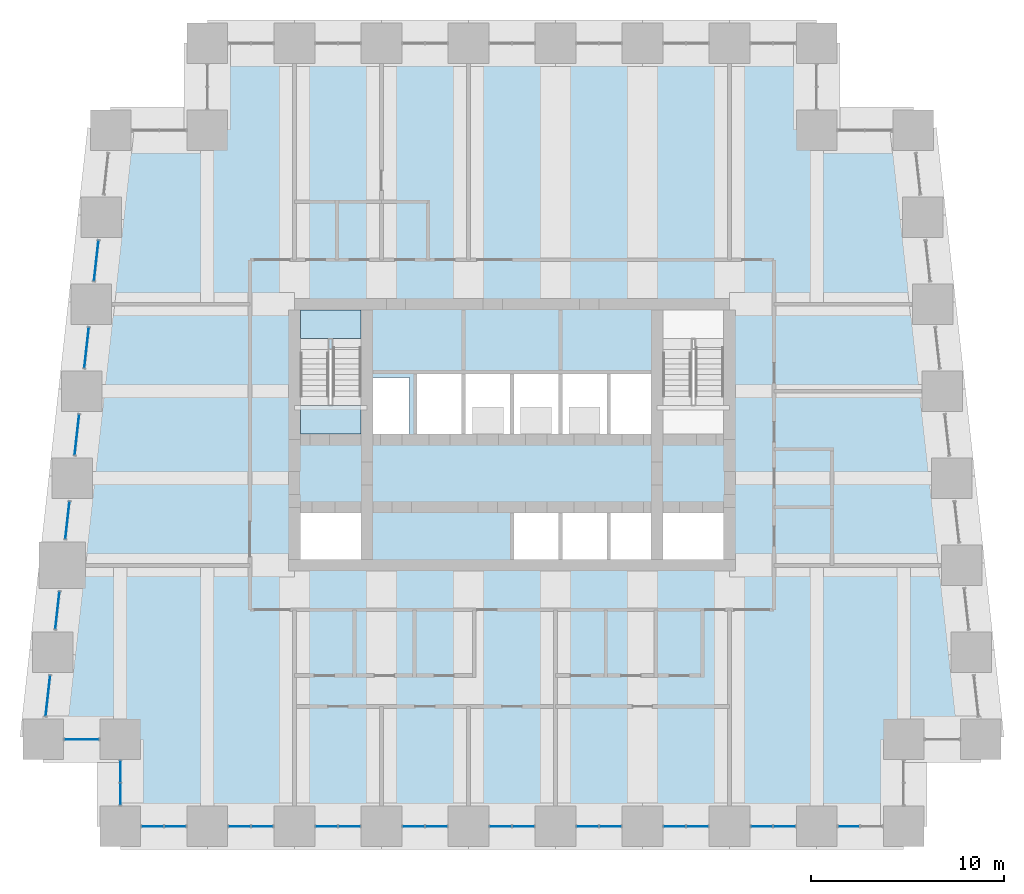
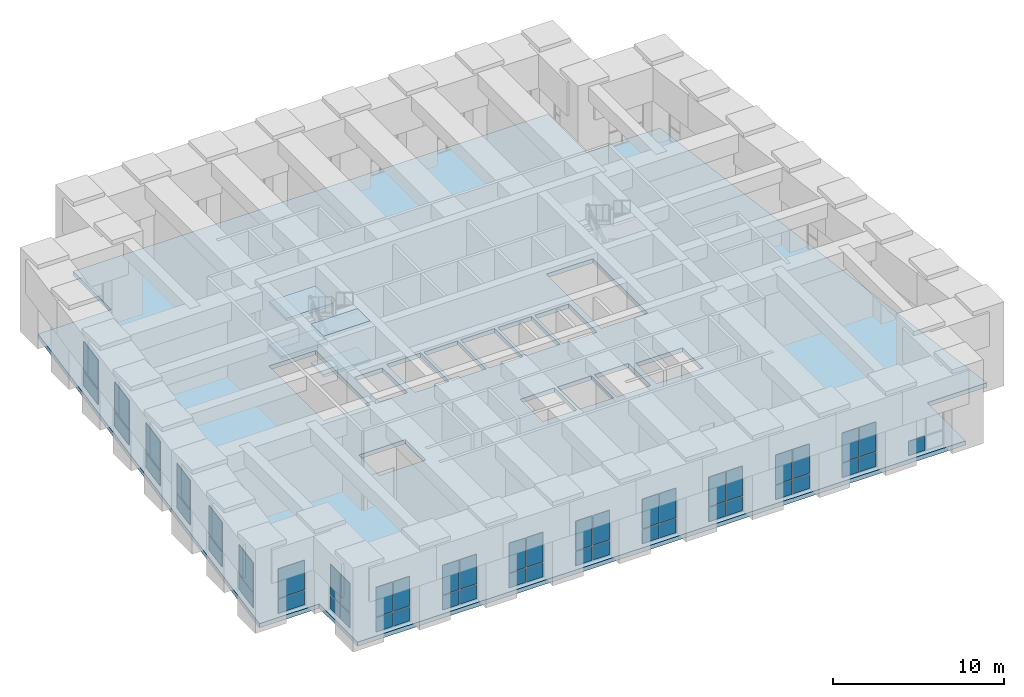
# One storey, part 9 of 17: 51 plates, 5 slabs, 18 elements without a shape of their own.
"""IFC4 building model written with IfcOpenShell, lengths in metres."""

from ifc_helpers import new_model, si_unit, direction, frame, origin, origin_2d, place, context, subcontext, project, spatial, polyline, rectangle, outline, extrude, material, layer, layer_set, type_object, element, aggregate, save


model = new_model("IFC4")

# Units and contexts
model_context = context("Model", 3, precision=1e-05, world=origin(), true_north=direction((0.0, 1.0)))
body_context = subcontext(model_context, "Body", "Model", "MODEL_VIEW")
ifc_project = project(units=[si_unit("LENGTHUNIT", "METRE"), si_unit("AREAUNIT", "SQUARE_METRE"), si_unit("VOLUMEUNIT", "CUBIC_METRE"), si_unit("PLANEANGLEUNIT", "RADIAN"), si_unit("MASSUNIT", "GRAM", prefix="KILO")], contexts=[model_context])

# Site, building, storey
site_placement = place(None, origin())
site = spatial("IfcSite", under=ifc_project, at=site_placement, CompositionType="ELEMENT")
building_placement = place(site_placement, origin())
building = spatial("IfcBuilding", under=site, at=building_placement, Name="Kilele Tower Hotel", CompositionType="ELEMENT")
storey_placement = place(building_placement, frame((0.0, 0.0, 145.89990234375)))
storey = spatial("IfcBuildingStorey", under=building, at=storey_placement, Name="L38", CompositionType="ELEMENT", Elevation=145.89990234375)

# Slab
ifc_material_1 = material(Name="Concrete C60/75", Category="concrete")
ifc_layer_1 = layer(ifc_material_1, 0.300048828125)
ifc_layer_set_1 = layer_set([ifc_layer_1], Name="Concrete C60/75")
slab_type_1 = type_object("IfcSlabType", Name="Floor slab 300", PredefinedType="FLOOR", material=ifc_layer_set_1)
slab_1_placement = place(storey_placement, frame((0.0, 0.0, -0.2998046875)))
element("IfcSlab", 1, at=slab_1_placement, inside=storey, type_object=slab_type_1, Name="Floor slab L38", PredefinedType="FLOOR", context=body_context, shape_type="SweptSolid", body=[
    extrude(outline(polyline([(8.699951171875, 36.300048828125), (8.699951171875, 40.800048828125), (40.800048828125, 40.800048828125), (40.800048828125, 36.300048828125), (45.7685546875, 36.300048828125), (49.335205078125, 4.199951171875), (45.300048828125, 4.199951171875), (45.300048828125, -0.300048828125), (4.199951171875, -0.300048828125), (4.199951171875, 4.199951171875), (0.164794921875, 4.199951171875), (3.7314453125, 36.300048828125), (8.699951171875, 36.300048828125)]), holes=[polyline([(16.949951171875, 16.199951171875), (13.800048828125, 16.199951171875), (13.800048828125, 13.800048828125), (16.949951171875, 13.800048828125), (16.949951171875, 16.199951171875)]), polyline([(27.14990234375, 13.800048828125), (27.14990234375, 16.39990234375), (24.85009765625, 16.39990234375), (24.85009765625, 13.800048828125), (27.14990234375, 13.800048828125)]), polyline([(19.449951171875, 20.300048828125), (19.449951171875, 23.199951171875), (17.550048828125, 23.199951171875), (17.550048828125, 20.300048828125), (19.449951171875, 20.300048828125)]), polyline([(22.14990234375, 23.39990234375), (19.85009765625, 23.39990234375), (19.85009765625, 20.10009765625), (22.14990234375, 20.10009765625), (22.14990234375, 23.39990234375)]), polyline([(24.64990234375, 20.10009765625), (24.64990234375, 23.39990234375), (22.35009765625, 23.39990234375), (22.35009765625, 20.10009765625), (24.64990234375, 20.10009765625)]), polyline([(27.14990234375, 20.10009765625), (27.14990234375, 23.39990234375), (24.85009765625, 23.39990234375), (24.85009765625, 20.10009765625), (27.14990234375, 20.10009765625)]), polyline([(16.949951171875, 26.699951171875), (13.800048828125, 26.699951171875), (13.800048828125, 20.300048828125), (16.949951171875, 20.300048828125), (16.949951171875, 26.699951171875)]), polyline([(35.699951171875, 13.800048828125), (35.699951171875, 16.199951171875), (32.550048828125, 16.199951171875), (32.550048828125, 13.800048828125), (35.699951171875, 13.800048828125)]), polyline([(29.64990234375, 13.800048828125), (29.64990234375, 16.39990234375), (27.35009765625, 16.39990234375), (27.35009765625, 13.800048828125), (29.64990234375, 13.800048828125)]), polyline([(32.14990234375, 13.800048828125), (32.14990234375, 16.39990234375), (29.85009765625, 16.39990234375), (29.85009765625, 13.800048828125), (32.14990234375, 13.800048828125)]), polyline([(29.64990234375, 20.10009765625), (29.64990234375, 23.39990234375), (27.35009765625, 23.39990234375), (27.35009765625, 20.10009765625), (29.64990234375, 20.10009765625)]), polyline([(32.14990234375, 20.10009765625), (32.14990234375, 23.39990234375), (29.85009765625, 23.39990234375), (29.85009765625, 20.10009765625), (32.14990234375, 20.10009765625)]), polyline([(35.699951171875, 20.300048828125), (35.699951171875, 26.699951171875), (32.550048828125, 26.699951171875), (32.550048828125, 20.300048828125), (35.699951171875, 20.300048828125)])]), origin(), (0.0, 0.0, 1.0), 0.2998046875),
])

# Curtain wall, plates
ifc_material_2 = material(Name="Aluminium curtain wall, clear double glazing", Category="aluminium")
curtain_wall_type = type_object("IfcCurtainWallType", Name="Sky lobby curtain wall CW-3", PredefinedType="NOTDEFINED", material=ifc_material_2)
curtain_wall_1_placement = place(storey_placement, origin())
curtain_wall_1 = element("IfcCurtainWall", 2, at=curtain_wall_1_placement, inside=storey, type_object=curtain_wall_type, Name="Sky lobby curtain wall CW-3 L38", PredefinedType="NOTDEFINED")
ifc_material_3 = material(Name="Clear double glazing", Category="glass")
ifc_layer_2 = layer(ifc_material_3, 0.028076171875)
ifc_layer_set_2 = layer_set([ifc_layer_2], Name="Clear double glazing")
plate_type = type_object("IfcPlateType", Name="Glazed panel 28 CW-3", PredefinedType="CURTAIN_PANEL", material=ifc_layer_set_2)
plate_1_placement = place(storey_placement, frame((2.5, 4.5, 0.06005859375), z_axis=(0.0, 0.0, 1.0), x_axis=(1.0, 0.0, 0.0)))
plate_1 = element("IfcPlate", 3, at=plate_1_placement, type_object=plate_type, Name="CW-3 panel 1.1", PredefinedType="CURTAIN_PANEL", context=body_context, shape_type="SweptSolid", body=[
    extrude(rectangle(XDim=1.780029296875, YDim=0.028076171875, at=origin_2d()), origin(), (0.0, 0.0, 1.0), 1.010009765625),
])
plate_2_placement = place(storey_placement, frame((2.5, 4.5, 1.1298828125), z_axis=(0.0, 0.0, 1.0), x_axis=(1.0, 0.0, 0.0)))
plate_2 = element("IfcPlate", 4, at=plate_2_placement, type_object=plate_type, Name="CW-3 panel 1.2", PredefinedType="CURTAIN_PANEL", context=body_context, shape_type="SweptSolid", body=[
    extrude(rectangle(XDim=1.780029296875, YDim=0.028076171875, at=origin_2d()), origin(), (0.0, 0.0, 1.0), 2.110107421875),
])
aggregate(curtain_wall_1, [plate_1, plate_2])

curtain_wall_2_placement = place(storey_placement, origin())
curtain_wall_2 = element("IfcCurtainWall", 5, at=curtain_wall_2_placement, inside=storey, type_object=curtain_wall_type, Name="Sky lobby curtain wall CW-3 L38", PredefinedType="NOTDEFINED")
plate_3_placement = place(storey_placement, frame((4.5, 2.8349609375, 0.06005859375), z_axis=(0.0, 0.0, 1.0), x_axis=(0.0, -1.0, 0.0)))
plate_3 = element("IfcPlate", 6, at=plate_3_placement, type_object=plate_type, Name="CW-3 panel 1.1", PredefinedType="CURTAIN_PANEL", context=body_context, shape_type="SweptSolid", body=[
    extrude(rectangle(XDim=1.110107421875, YDim=0.028076171875, at=origin_2d()), origin(), (0.0, 0.0, 1.0), 1.010009765625),
])
plate_4_placement = place(storey_placement, frame((4.5, 2.8349609375, 1.1298828125), z_axis=(0.0, 0.0, 1.0), x_axis=(0.0, -1.0, 0.0)))
plate_4 = element("IfcPlate", 7, at=plate_4_placement, type_object=plate_type, Name="CW-3 panel 1.2", PredefinedType="CURTAIN_PANEL", context=body_context, shape_type="SweptSolid", body=[
    extrude(rectangle(XDim=1.110107421875, YDim=0.028076171875, at=origin_2d()), origin(), (0.0, 0.0, 1.0), 2.110107421875),
])
plate_5_placement = place(storey_placement, frame((4.5, 1.6650390625, 0.06005859375), z_axis=(0.0, 0.0, 1.0), x_axis=(0.0, -1.0, 0.0)))
plate_5 = element("IfcPlate", 8, at=plate_5_placement, type_object=plate_type, Name="CW-3 panel 2.1", PredefinedType="CURTAIN_PANEL", context=body_context, shape_type="SweptSolid", body=[
    extrude(rectangle(XDim=1.110107421875, YDim=0.028076171875, at=origin_2d()), origin(), (0.0, 0.0, 1.0), 1.010009765625),
])
plate_6_placement = place(storey_placement, frame((4.5, 1.6650390625, 1.1298828125), z_axis=(0.0, 0.0, 1.0), x_axis=(0.0, -1.0, 0.0)))
plate_6 = element("IfcPlate", 9, at=plate_6_placement, type_object=plate_type, Name="CW-3 panel 2.2", PredefinedType="CURTAIN_PANEL", context=body_context, shape_type="SweptSolid", body=[
    extrude(rectangle(XDim=1.110107421875, YDim=0.028076171875, at=origin_2d()), origin(), (0.0, 0.0, 1.0), 2.110107421875),
])
aggregate(curtain_wall_2, [plate_3, plate_4, plate_5, plate_6])

curtain_wall_3_placement = place(storey_placement, origin())
curtain_wall_3 = element("IfcCurtainWall", 10, at=curtain_wall_3_placement, inside=storey, type_object=curtain_wall_type, Name="Sky lobby curtain wall CW-3 L38", PredefinedType="NOTDEFINED")
plate_7_placement = place(storey_placement, frame((6.1650390625, 0.0, 0.06005859375), z_axis=(0.0, 0.0, 1.0), x_axis=(1.0, 0.0, 0.0)))
plate_7 = element("IfcPlate", 11, at=plate_7_placement, type_object=plate_type, Name="CW-3 panel 1.1", PredefinedType="CURTAIN_PANEL", context=body_context, shape_type="SweptSolid", body=[
    extrude(rectangle(XDim=1.110107421875, YDim=0.028076171875, at=origin_2d()), origin(), (0.0, 0.0, 1.0), 1.010009765625),
])
plate_8_placement = place(storey_placement, frame((6.1650390625, 0.0, 1.1298828125), z_axis=(0.0, 0.0, 1.0), x_axis=(1.0, 0.0, 0.0)))
plate_8 = element("IfcPlate", 12, at=plate_8_placement, type_object=plate_type, Name="CW-3 panel 1.2", PredefinedType="CURTAIN_PANEL", context=body_context, shape_type="SweptSolid", body=[
    extrude(rectangle(XDim=1.110107421875, YDim=0.028076171875, at=origin_2d()), origin(), (0.0, 0.0, 1.0), 2.110107421875),
])
plate_9_placement = place(storey_placement, frame((7.3349609375, 0.0, 0.06005859375), z_axis=(0.0, 0.0, 1.0), x_axis=(1.0, 0.0, 0.0)))
plate_9 = element("IfcPlate", 13, at=plate_9_placement, type_object=plate_type, Name="CW-3 panel 2.1", PredefinedType="CURTAIN_PANEL", context=body_context, shape_type="SweptSolid", body=[
    extrude(rectangle(XDim=1.110107421875, YDim=0.028076171875, at=origin_2d()), origin(), (0.0, 0.0, 1.0), 1.010009765625),
])
plate_10_placement = place(storey_placement, frame((7.3349609375, 0.0, 1.1298828125), z_axis=(0.0, 0.0, 1.0), x_axis=(1.0, 0.0, 0.0)))
plate_10 = element("IfcPlate", 14, at=plate_10_placement, type_object=plate_type, Name="CW-3 panel 2.2", PredefinedType="CURTAIN_PANEL", context=body_context, shape_type="SweptSolid", body=[
    extrude(rectangle(XDim=1.110107421875, YDim=0.028076171875, at=origin_2d()), origin(), (0.0, 0.0, 1.0), 2.110107421875),
])
aggregate(curtain_wall_3, [plate_7, plate_8, plate_9, plate_10])

curtain_wall_4_placement = place(storey_placement, origin())
curtain_wall_4 = element("IfcCurtainWall", 15, at=curtain_wall_4_placement, inside=storey, type_object=curtain_wall_type, Name="Sky lobby curtain wall CW-3 L38", PredefinedType="NOTDEFINED")
plate_11_placement = place(storey_placement, frame((10.6650390625, 0.0, 0.06005859375), z_axis=(0.0, 0.0, 1.0), x_axis=(1.0, 0.0, 0.0)))
plate_11 = element("IfcPlate", 16, at=plate_11_placement, type_object=plate_type, Name="CW-3 panel 1.1", PredefinedType="CURTAIN_PANEL", context=body_context, shape_type="SweptSolid", body=[
    extrude(rectangle(XDim=1.110107421875, YDim=0.028076171875, at=origin_2d()), origin(), (0.0, 0.0, 1.0), 1.010009765625),
])
plate_12_placement = place(storey_placement, frame((10.6650390625, 0.0, 1.1298828125), z_axis=(0.0, 0.0, 1.0), x_axis=(1.0, 0.0, 0.0)))
plate_12 = element("IfcPlate", 17, at=plate_12_placement, type_object=plate_type, Name="CW-3 panel 1.2", PredefinedType="CURTAIN_PANEL", context=body_context, shape_type="SweptSolid", body=[
    extrude(rectangle(XDim=1.110107421875, YDim=0.028076171875, at=origin_2d()), origin(), (0.0, 0.0, 1.0), 2.110107421875),
])
plate_13_placement = place(storey_placement, frame((11.8349609375, 0.0, 0.06005859375), z_axis=(0.0, 0.0, 1.0), x_axis=(1.0, 0.0, 0.0)))
plate_13 = element("IfcPlate", 18, at=plate_13_placement, type_object=plate_type, Name="CW-3 panel 2.1", PredefinedType="CURTAIN_PANEL", context=body_context, shape_type="SweptSolid", body=[
    extrude(rectangle(XDim=1.110107421875, YDim=0.028076171875, at=origin_2d()), origin(), (0.0, 0.0, 1.0), 1.010009765625),
])
plate_14_placement = place(storey_placement, frame((11.8349609375, 0.0, 1.1298828125), z_axis=(0.0, 0.0, 1.0), x_axis=(1.0, 0.0, 0.0)))
plate_14 = element("IfcPlate", 19, at=plate_14_placement, type_object=plate_type, Name="CW-3 panel 2.2", PredefinedType="CURTAIN_PANEL", context=body_context, shape_type="SweptSolid", body=[
    extrude(rectangle(XDim=1.110107421875, YDim=0.028076171875, at=origin_2d()), origin(), (0.0, 0.0, 1.0), 2.110107421875),
])
aggregate(curtain_wall_4, [plate_11, plate_12, plate_13, plate_14])

curtain_wall_5_placement = place(storey_placement, origin())
curtain_wall_5 = element("IfcCurtainWall", 20, at=curtain_wall_5_placement, inside=storey, type_object=curtain_wall_type, Name="Sky lobby curtain wall CW-3 L38", PredefinedType="NOTDEFINED")
plate_15_placement = place(storey_placement, frame((15.1650390625, 0.0, 0.06005859375), z_axis=(0.0, 0.0, 1.0), x_axis=(1.0, 0.0, 0.0)))
plate_15 = element("IfcPlate", 21, at=plate_15_placement, type_object=plate_type, Name="CW-3 panel 1.1", PredefinedType="CURTAIN_PANEL", context=body_context, shape_type="SweptSolid", body=[
    extrude(rectangle(XDim=1.110107421875, YDim=0.028076171875, at=origin_2d()), origin(), (0.0, 0.0, 1.0), 1.010009765625),
])
plate_16_placement = place(storey_placement, frame((15.1650390625, 0.0, 1.1298828125), z_axis=(0.0, 0.0, 1.0), x_axis=(1.0, 0.0, 0.0)))
plate_16 = element("IfcPlate", 22, at=plate_16_placement, type_object=plate_type, Name="CW-3 panel 1.2", PredefinedType="CURTAIN_PANEL", context=body_context, shape_type="SweptSolid", body=[
    extrude(rectangle(XDim=1.110107421875, YDim=0.028076171875, at=origin_2d()), origin(), (0.0, 0.0, 1.0), 2.110107421875),
])
plate_17_placement = place(storey_placement, frame((16.3349609375, 0.0, 0.06005859375), z_axis=(0.0, 0.0, 1.0), x_axis=(1.0, 0.0, 0.0)))
plate_17 = element("IfcPlate", 23, at=plate_17_placement, type_object=plate_type, Name="CW-3 panel 2.1", PredefinedType="CURTAIN_PANEL", context=body_context, shape_type="SweptSolid", body=[
    extrude(rectangle(XDim=1.110107421875, YDim=0.028076171875, at=origin_2d()), origin(), (0.0, 0.0, 1.0), 1.010009765625),
])
plate_18_placement = place(storey_placement, frame((16.3349609375, 0.0, 1.1298828125), z_axis=(0.0, 0.0, 1.0), x_axis=(1.0, 0.0, 0.0)))
plate_18 = element("IfcPlate", 24, at=plate_18_placement, type_object=plate_type, Name="CW-3 panel 2.2", PredefinedType="CURTAIN_PANEL", context=body_context, shape_type="SweptSolid", body=[
    extrude(rectangle(XDim=1.110107421875, YDim=0.028076171875, at=origin_2d()), origin(), (0.0, 0.0, 1.0), 2.110107421875),
])
aggregate(curtain_wall_5, [plate_15, plate_16, plate_17, plate_18])

curtain_wall_6_placement = place(storey_placement, origin())
curtain_wall_6 = element("IfcCurtainWall", 25, at=curtain_wall_6_placement, inside=storey, type_object=curtain_wall_type, Name="Sky lobby curtain wall CW-3 L38", PredefinedType="NOTDEFINED")
plate_19_placement = place(storey_placement, frame((19.6650390625, 0.0, 0.06005859375), z_axis=(0.0, 0.0, 1.0), x_axis=(1.0, 0.0, 0.0)))
plate_19 = element("IfcPlate", 26, at=plate_19_placement, type_object=plate_type, Name="CW-3 panel 1.1", PredefinedType="CURTAIN_PANEL", context=body_context, shape_type="SweptSolid", body=[
    extrude(rectangle(XDim=1.110107421875, YDim=0.028076171875, at=origin_2d()), origin(), (0.0, 0.0, 1.0), 1.010009765625),
])
plate_20_placement = place(storey_placement, frame((19.6650390625, 0.0, 1.1298828125), z_axis=(0.0, 0.0, 1.0), x_axis=(1.0, 0.0, 0.0)))
plate_20 = element("IfcPlate", 27, at=plate_20_placement, type_object=plate_type, Name="CW-3 panel 1.2", PredefinedType="CURTAIN_PANEL", context=body_context, shape_type="SweptSolid", body=[
    extrude(rectangle(XDim=1.110107421875, YDim=0.028076171875, at=origin_2d()), origin(), (0.0, 0.0, 1.0), 2.110107421875),
])
plate_21_placement = place(storey_placement, frame((20.8349609375, 0.0, 0.06005859375), z_axis=(0.0, 0.0, 1.0), x_axis=(1.0, 0.0, 0.0)))
plate_21 = element("IfcPlate", 28, at=plate_21_placement, type_object=plate_type, Name="CW-3 panel 2.1", PredefinedType="CURTAIN_PANEL", context=body_context, shape_type="SweptSolid", body=[
    extrude(rectangle(XDim=1.110107421875, YDim=0.028076171875, at=origin_2d()), origin(), (0.0, 0.0, 1.0), 1.010009765625),
])
plate_22_placement = place(storey_placement, frame((20.8349609375, 0.0, 1.1298828125), z_axis=(0.0, 0.0, 1.0), x_axis=(1.0, 0.0, 0.0)))
plate_22 = element("IfcPlate", 29, at=plate_22_placement, type_object=plate_type, Name="CW-3 panel 2.2", PredefinedType="CURTAIN_PANEL", context=body_context, shape_type="SweptSolid", body=[
    extrude(rectangle(XDim=1.110107421875, YDim=0.028076171875, at=origin_2d()), origin(), (0.0, 0.0, 1.0), 2.110107421875),
])
aggregate(curtain_wall_6, [plate_19, plate_20, plate_21, plate_22])

curtain_wall_7_placement = place(storey_placement, origin())
curtain_wall_7 = element("IfcCurtainWall", 30, at=curtain_wall_7_placement, inside=storey, type_object=curtain_wall_type, Name="Sky lobby curtain wall CW-3 L38", PredefinedType="NOTDEFINED")
plate_23_placement = place(storey_placement, frame((24.1650390625, 0.0, 0.06005859375), z_axis=(0.0, 0.0, 1.0), x_axis=(1.0, 0.0, 0.0)))
plate_23 = element("IfcPlate", 31, at=plate_23_placement, type_object=plate_type, Name="CW-3 panel 1.1", PredefinedType="CURTAIN_PANEL", context=body_context, shape_type="SweptSolid", body=[
    extrude(rectangle(XDim=1.110107421875, YDim=0.028076171875, at=origin_2d()), origin(), (0.0, 0.0, 1.0), 1.010009765625),
])
plate_24_placement = place(storey_placement, frame((24.1650390625, 0.0, 1.1298828125), z_axis=(0.0, 0.0, 1.0), x_axis=(1.0, 0.0, 0.0)))
plate_24 = element("IfcPlate", 32, at=plate_24_placement, type_object=plate_type, Name="CW-3 panel 1.2", PredefinedType="CURTAIN_PANEL", context=body_context, shape_type="SweptSolid", body=[
    extrude(rectangle(XDim=1.110107421875, YDim=0.028076171875, at=origin_2d()), origin(), (0.0, 0.0, 1.0), 2.110107421875),
])
plate_25_placement = place(storey_placement, frame((25.3349609375, 0.0, 0.06005859375), z_axis=(0.0, 0.0, 1.0), x_axis=(1.0, 0.0, 0.0)))
plate_25 = element("IfcPlate", 33, at=plate_25_placement, type_object=plate_type, Name="CW-3 panel 2.1", PredefinedType="CURTAIN_PANEL", context=body_context, shape_type="SweptSolid", body=[
    extrude(rectangle(XDim=1.110107421875, YDim=0.028076171875, at=origin_2d()), origin(), (0.0, 0.0, 1.0), 1.010009765625),
])
plate_26_placement = place(storey_placement, frame((25.3349609375, 0.0, 1.1298828125), z_axis=(0.0, 0.0, 1.0), x_axis=(1.0, 0.0, 0.0)))
plate_26 = element("IfcPlate", 34, at=plate_26_placement, type_object=plate_type, Name="CW-3 panel 2.2", PredefinedType="CURTAIN_PANEL", context=body_context, shape_type="SweptSolid", body=[
    extrude(rectangle(XDim=1.110107421875, YDim=0.028076171875, at=origin_2d()), origin(), (0.0, 0.0, 1.0), 2.110107421875),
])
aggregate(curtain_wall_7, [plate_23, plate_24, plate_25, plate_26])

curtain_wall_8_placement = place(storey_placement, origin())
curtain_wall_8 = element("IfcCurtainWall", 35, at=curtain_wall_8_placement, inside=storey, type_object=curtain_wall_type, Name="Sky lobby curtain wall CW-3 L38", PredefinedType="NOTDEFINED")
plate_27_placement = place(storey_placement, frame((28.6650390625, 0.0, 0.06005859375), z_axis=(0.0, 0.0, 1.0), x_axis=(1.0, 0.0, 0.0)))
plate_27 = element("IfcPlate", 36, at=plate_27_placement, type_object=plate_type, Name="CW-3 panel 1.1", PredefinedType="CURTAIN_PANEL", context=body_context, shape_type="SweptSolid", body=[
    extrude(rectangle(XDim=1.110107421875, YDim=0.028076171875, at=origin_2d()), origin(), (0.0, 0.0, 1.0), 1.010009765625),
])
plate_28_placement = place(storey_placement, frame((28.6650390625, 0.0, 1.1298828125), z_axis=(0.0, 0.0, 1.0), x_axis=(1.0, 0.0, 0.0)))
plate_28 = element("IfcPlate", 37, at=plate_28_placement, type_object=plate_type, Name="CW-3 panel 1.2", PredefinedType="CURTAIN_PANEL", context=body_context, shape_type="SweptSolid", body=[
    extrude(rectangle(XDim=1.110107421875, YDim=0.028076171875, at=origin_2d()), origin(), (0.0, 0.0, 1.0), 2.110107421875),
])
plate_29_placement = place(storey_placement, frame((29.8349609375, 0.0, 0.06005859375), z_axis=(0.0, 0.0, 1.0), x_axis=(1.0, 0.0, 0.0)))
plate_29 = element("IfcPlate", 38, at=plate_29_placement, type_object=plate_type, Name="CW-3 panel 2.1", PredefinedType="CURTAIN_PANEL", context=body_context, shape_type="SweptSolid", body=[
    extrude(rectangle(XDim=1.110107421875, YDim=0.028076171875, at=origin_2d()), origin(), (0.0, 0.0, 1.0), 1.010009765625),
])
plate_30_placement = place(storey_placement, frame((29.8349609375, 0.0, 1.1298828125), z_axis=(0.0, 0.0, 1.0), x_axis=(1.0, 0.0, 0.0)))
plate_30 = element("IfcPlate", 39, at=plate_30_placement, type_object=plate_type, Name="CW-3 panel 2.2", PredefinedType="CURTAIN_PANEL", context=body_context, shape_type="SweptSolid", body=[
    extrude(rectangle(XDim=1.110107421875, YDim=0.028076171875, at=origin_2d()), origin(), (0.0, 0.0, 1.0), 2.110107421875),
])
aggregate(curtain_wall_8, [plate_27, plate_28, plate_29, plate_30])

curtain_wall_9_placement = place(storey_placement, origin())
curtain_wall_9 = element("IfcCurtainWall", 40, at=curtain_wall_9_placement, inside=storey, type_object=curtain_wall_type, Name="Sky lobby curtain wall CW-3 L38", PredefinedType="NOTDEFINED")
plate_31_placement = place(storey_placement, frame((33.1650390625, 0.0, 0.06005859375), z_axis=(0.0, 0.0, 1.0), x_axis=(1.0, 0.0, 0.0)))
plate_31 = element("IfcPlate", 41, at=plate_31_placement, type_object=plate_type, Name="CW-3 panel 1.1", PredefinedType="CURTAIN_PANEL", context=body_context, shape_type="SweptSolid", body=[
    extrude(rectangle(XDim=1.110107421875, YDim=0.028076171875, at=origin_2d()), origin(), (0.0, 0.0, 1.0), 1.010009765625),
])
plate_32_placement = place(storey_placement, frame((33.1650390625, 0.0, 1.1298828125), z_axis=(0.0, 0.0, 1.0), x_axis=(1.0, 0.0, 0.0)))
plate_32 = element("IfcPlate", 42, at=plate_32_placement, type_object=plate_type, Name="CW-3 panel 1.2", PredefinedType="CURTAIN_PANEL", context=body_context, shape_type="SweptSolid", body=[
    extrude(rectangle(XDim=1.110107421875, YDim=0.028076171875, at=origin_2d()), origin(), (0.0, 0.0, 1.0), 2.110107421875),
])
plate_33_placement = place(storey_placement, frame((34.3349609375, 0.0, 0.06005859375), z_axis=(0.0, 0.0, 1.0), x_axis=(1.0, 0.0, 0.0)))
plate_33 = element("IfcPlate", 43, at=plate_33_placement, type_object=plate_type, Name="CW-3 panel 2.1", PredefinedType="CURTAIN_PANEL", context=body_context, shape_type="SweptSolid", body=[
    extrude(rectangle(XDim=1.110107421875, YDim=0.028076171875, at=origin_2d()), origin(), (0.0, 0.0, 1.0), 1.010009765625),
])
plate_34_placement = place(storey_placement, frame((34.3349609375, 0.0, 1.1298828125), z_axis=(0.0, 0.0, 1.0), x_axis=(1.0, 0.0, 0.0)))
plate_34 = element("IfcPlate", 44, at=plate_34_placement, type_object=plate_type, Name="CW-3 panel 2.2", PredefinedType="CURTAIN_PANEL", context=body_context, shape_type="SweptSolid", body=[
    extrude(rectangle(XDim=1.110107421875, YDim=0.028076171875, at=origin_2d()), origin(), (0.0, 0.0, 1.0), 2.110107421875),
])
aggregate(curtain_wall_9, [plate_31, plate_32, plate_33, plate_34])

curtain_wall_10_placement = place(storey_placement, origin())
curtain_wall_10 = element("IfcCurtainWall", 45, at=curtain_wall_10_placement, inside=storey, type_object=curtain_wall_type, Name="Sky lobby curtain wall CW-3 L38", PredefinedType="NOTDEFINED")
plate_35_placement = place(storey_placement, frame((37.6650390625, 0.0, 0.06005859375), z_axis=(0.0, 0.0, 1.0), x_axis=(1.0, 0.0, 0.0)))
plate_35 = element("IfcPlate", 46, at=plate_35_placement, type_object=plate_type, Name="CW-3 panel 1.1", PredefinedType="CURTAIN_PANEL", context=body_context, shape_type="SweptSolid", body=[
    extrude(rectangle(XDim=1.110107421875, YDim=0.028076171875, at=origin_2d()), origin(), (0.0, 0.0, 1.0), 1.010009765625),
])
plate_36_placement = place(storey_placement, frame((37.6650390625, 0.0, 1.1298828125), z_axis=(0.0, 0.0, 1.0), x_axis=(1.0, 0.0, 0.0)))
plate_36 = element("IfcPlate", 47, at=plate_36_placement, type_object=plate_type, Name="CW-3 panel 1.2", PredefinedType="CURTAIN_PANEL", context=body_context, shape_type="SweptSolid", body=[
    extrude(rectangle(XDim=1.110107421875, YDim=0.028076171875, at=origin_2d()), origin(), (0.0, 0.0, 1.0), 2.110107421875),
])
plate_37_placement = place(storey_placement, frame((38.8349609375, 0.0, 0.06005859375), z_axis=(0.0, 0.0, 1.0), x_axis=(1.0, 0.0, 0.0)))
plate_37 = element("IfcPlate", 48, at=plate_37_placement, type_object=plate_type, Name="CW-3 panel 2.1", PredefinedType="CURTAIN_PANEL", context=body_context, shape_type="SweptSolid", body=[
    extrude(rectangle(XDim=1.110107421875, YDim=0.028076171875, at=origin_2d()), origin(), (0.0, 0.0, 1.0), 1.010009765625),
])
plate_38_placement = place(storey_placement, frame((38.8349609375, 0.0, 1.1298828125), z_axis=(0.0, 0.0, 1.0), x_axis=(1.0, 0.0, 0.0)))
plate_38 = element("IfcPlate", 49, at=plate_38_placement, type_object=plate_type, Name="CW-3 panel 2.2", PredefinedType="CURTAIN_PANEL", context=body_context, shape_type="SweptSolid", body=[
    extrude(rectangle(XDim=1.110107421875, YDim=0.028076171875, at=origin_2d()), origin(), (0.0, 0.0, 1.0), 2.110107421875),
])
aggregate(curtain_wall_10, [plate_35, plate_36, plate_37, plate_38])

# Curtain wall, plate
curtain_wall_11_placement = place(storey_placement, origin())
curtain_wall_11 = element("IfcCurtainWall", 50, at=curtain_wall_11_placement, inside=storey, type_object=curtain_wall_type, Name="Sky lobby curtain wall CW-3 L38", PredefinedType="NOTDEFINED")
plate_39_placement = place(storey_placement, frame((42.1650390625, 0.0, 0.06005859375), z_axis=(0.0, 0.0, 1.0), x_axis=(1.0, 0.0, 0.0)))
plate_39 = element("IfcPlate", 51, at=plate_39_placement, type_object=plate_type, Name="CW-3 panel 1.1", PredefinedType="CURTAIN_PANEL", context=body_context, shape_type="SweptSolid", body=[
    extrude(rectangle(XDim=1.110107421875, YDim=0.028076171875, at=origin_2d()), origin(), (0.0, 0.0, 1.0), 1.010009765625),
])
aggregate(curtain_wall_11, [plate_39])

# Curtain wall, plates
curtain_wall_12_placement = place(storey_placement, origin())
curtain_wall_12 = element("IfcCurtainWall", 52, at=curtain_wall_12_placement, inside=storey, type_object=curtain_wall_type, Name="Sky lobby curtain wall CW-3 L38", PredefinedType="NOTDEFINED")
plate_40_placement = place(storey_placement, frame((3.25, 29.25, 0.06005859375), z_axis=(0.0, 0.0, 1.0), x_axis=(-0.110431526475, -0.993883734629, 0.0)))
plate_40 = element("IfcPlate", 53, at=plate_40_placement, type_object=plate_type, Name="CW-3 panel 1.1", PredefinedType="CURTAIN_PANEL", context=body_context, shape_type="SweptSolid", body=[
    extrude(rectangle(XDim=2.088623046875, YDim=0.028076171875, at=origin_2d()), origin(), (0.0, 0.0, 1.0), 1.010009765625),
])
plate_41_placement = place(storey_placement, frame((3.25, 29.25, 1.1298828125), z_axis=(0.0, 0.0, 1.0), x_axis=(-0.110431526475, -0.993883734629, 0.0)))
plate_41 = element("IfcPlate", 54, at=plate_41_placement, type_object=plate_type, Name="CW-3 panel 1.2", PredefinedType="CURTAIN_PANEL", context=body_context, shape_type="SweptSolid", body=[
    extrude(rectangle(XDim=2.088623046875, YDim=0.028076171875, at=origin_2d()), origin(), (0.0, 0.0, 1.0), 2.110107421875),
])
aggregate(curtain_wall_12, [plate_40, plate_41])

curtain_wall_13_placement = place(storey_placement, origin())
curtain_wall_13 = element("IfcCurtainWall", 55, at=curtain_wall_13_placement, inside=storey, type_object=curtain_wall_type, Name="Sky lobby curtain wall CW-3 L38", PredefinedType="NOTDEFINED")
plate_42_placement = place(storey_placement, frame((2.75, 24.75, 0.06005859375), z_axis=(0.0, 0.0, 1.0), x_axis=(-0.110431526475, -0.993883734629, 0.0)))
plate_42 = element("IfcPlate", 56, at=plate_42_placement, type_object=plate_type, Name="CW-3 panel 1.1", PredefinedType="CURTAIN_PANEL", context=body_context, shape_type="SweptSolid", body=[
    extrude(rectangle(XDim=2.088623046875, YDim=0.028076171875, at=origin_2d()), origin(), (0.0, 0.0, 1.0), 1.010009765625),
])
plate_43_placement = place(storey_placement, frame((2.75, 24.75, 1.1298828125), z_axis=(0.0, 0.0, 1.0), x_axis=(-0.110431526475, -0.993883734629, 0.0)))
plate_43 = element("IfcPlate", 57, at=plate_43_placement, type_object=plate_type, Name="CW-3 panel 1.2", PredefinedType="CURTAIN_PANEL", context=body_context, shape_type="SweptSolid", body=[
    extrude(rectangle(XDim=2.088623046875, YDim=0.028076171875, at=origin_2d()), origin(), (0.0, 0.0, 1.0), 2.110107421875),
])
aggregate(curtain_wall_13, [plate_42, plate_43])

curtain_wall_14_placement = place(storey_placement, origin())
curtain_wall_14 = element("IfcCurtainWall", 58, at=curtain_wall_14_placement, inside=storey, type_object=curtain_wall_type, Name="Sky lobby curtain wall CW-3 L38", PredefinedType="NOTDEFINED")
plate_44_placement = place(storey_placement, frame((2.25, 20.25, 0.06005859375), z_axis=(0.0, 0.0, 1.0), x_axis=(-0.110431526475, -0.993883734629, 0.0)))
plate_44 = element("IfcPlate", 59, at=plate_44_placement, type_object=plate_type, Name="CW-3 panel 1.1", PredefinedType="CURTAIN_PANEL", context=body_context, shape_type="SweptSolid", body=[
    extrude(rectangle(XDim=2.088623046875, YDim=0.028076171875, at=origin_2d()), origin(), (0.0, 0.0, 1.0), 1.010009765625),
])
plate_45_placement = place(storey_placement, frame((2.25, 20.25, 1.1298828125), z_axis=(0.0, 0.0, 1.0), x_axis=(-0.110431526475, -0.993883734629, 0.0)))
plate_45 = element("IfcPlate", 60, at=plate_45_placement, type_object=plate_type, Name="CW-3 panel 1.2", PredefinedType="CURTAIN_PANEL", context=body_context, shape_type="SweptSolid", body=[
    extrude(rectangle(XDim=2.088623046875, YDim=0.028076171875, at=origin_2d()), origin(), (0.0, 0.0, 1.0), 2.110107421875),
])
aggregate(curtain_wall_14, [plate_44, plate_45])

curtain_wall_15_placement = place(storey_placement, origin())
curtain_wall_15 = element("IfcCurtainWall", 61, at=curtain_wall_15_placement, inside=storey, type_object=curtain_wall_type, Name="Sky lobby curtain wall CW-3 L38", PredefinedType="NOTDEFINED")
plate_46_placement = place(storey_placement, frame((1.759033203125, 15.832275390625, 0.06005859375), z_axis=(0.0, 0.0, 1.0), x_axis=(-0.11043152651, -0.993883734625, 0.0)))
plate_46 = element("IfcPlate", 62, at=plate_46_placement, type_object=plate_type, Name="CW-3 panel 1.1", PredefinedType="CURTAIN_PANEL", context=body_context, shape_type="SweptSolid", body=[
    extrude(rectangle(XDim=1.923095703125, YDim=0.028076171875, at=origin_2d()), origin(), (0.0, 0.0, 1.0), 1.010009765625),
])
plate_47_placement = place(storey_placement, frame((1.759033203125, 15.832275390625, 1.1298828125), z_axis=(0.0, 0.0, 1.0), x_axis=(-0.11043152651, -0.993883734625, 0.0)))
plate_47 = element("IfcPlate", 63, at=plate_47_placement, type_object=plate_type, Name="CW-3 panel 1.2", PredefinedType="CURTAIN_PANEL", context=body_context, shape_type="SweptSolid", body=[
    extrude(rectangle(XDim=1.923095703125, YDim=0.028076171875, at=origin_2d()), origin(), (0.0, 0.0, 1.0), 2.110107421875),
])
aggregate(curtain_wall_15, [plate_46, plate_47])

curtain_wall_16_placement = place(storey_placement, origin())
curtain_wall_16 = element("IfcCurtainWall", 64, at=curtain_wall_16_placement, inside=storey, type_object=curtain_wall_type, Name="Sky lobby curtain wall CW-3 L38", PredefinedType="NOTDEFINED")
plate_48_placement = place(storey_placement, frame((1.240966796875, 11.167724609375, 0.06005859375), z_axis=(0.0, 0.0, 1.0), x_axis=(-0.11043152651, -0.993883734625, 0.0)))
plate_48 = element("IfcPlate", 65, at=plate_48_placement, type_object=plate_type, Name="CW-3 panel 1.1", PredefinedType="CURTAIN_PANEL", context=body_context, shape_type="SweptSolid", body=[
    extrude(rectangle(XDim=1.923095703125, YDim=0.028076171875, at=origin_2d()), origin(), (0.0, 0.0, 1.0), 1.010009765625),
])
plate_49_placement = place(storey_placement, frame((1.240966796875, 11.167724609375, 1.1298828125), z_axis=(0.0, 0.0, 1.0), x_axis=(-0.11043152651, -0.993883734625, 0.0)))
plate_49 = element("IfcPlate", 66, at=plate_49_placement, type_object=plate_type, Name="CW-3 panel 1.2", PredefinedType="CURTAIN_PANEL", context=body_context, shape_type="SweptSolid", body=[
    extrude(rectangle(XDim=1.923095703125, YDim=0.028076171875, at=origin_2d()), origin(), (0.0, 0.0, 1.0), 2.110107421875),
])
aggregate(curtain_wall_16, [plate_48, plate_49])

curtain_wall_17_placement = place(storey_placement, origin())
curtain_wall_17 = element("IfcCurtainWall", 67, at=curtain_wall_17_placement, inside=storey, type_object=curtain_wall_type, Name="Sky lobby curtain wall CW-3 L38", PredefinedType="NOTDEFINED")
plate_50_placement = place(storey_placement, frame((0.75, 6.75, 0.06005859375), z_axis=(0.0, 0.0, 1.0), x_axis=(-0.110431526475, -0.993883734629, 0.0)))
plate_50 = element("IfcPlate", 68, at=plate_50_placement, type_object=plate_type, Name="CW-3 panel 1.1", PredefinedType="CURTAIN_PANEL", context=body_context, shape_type="SweptSolid", body=[
    extrude(rectangle(XDim=2.088623046875, YDim=0.028076171875, at=origin_2d()), origin(), (0.0, 0.0, 1.0), 1.010009765625),
])
plate_51_placement = place(storey_placement, frame((0.75, 6.75, 1.1298828125), z_axis=(0.0, 0.0, 1.0), x_axis=(-0.110431526475, -0.993883734629, 0.0)))
plate_51 = element("IfcPlate", 69, at=plate_51_placement, type_object=plate_type, Name="CW-3 panel 1.2", PredefinedType="CURTAIN_PANEL", context=body_context, shape_type="SweptSolid", body=[
    extrude(rectangle(XDim=2.088623046875, YDim=0.028076171875, at=origin_2d()), origin(), (0.0, 0.0, 1.0), 2.110107421875),
])
aggregate(curtain_wall_17, [plate_50, plate_51])

# Stair, slabs
ifc_material_4 = material(Name="Precast concrete C40/50", Category="concrete")
stair_type = type_object("IfcStairType", Name="Stair 1475 x 6000", PredefinedType="HALF_TURN_STAIR", material=ifc_material_4)
stair_placement = place(storey_placement, origin())
stair = element("IfcStair", 70, at=stair_placement, inside=storey, type_object=stair_type, Name="Stair 1 L38", PredefinedType="HALF_TURN_STAIR")
ifc_material_5 = material(Name="Precast concrete C40/50", Category="concrete")
ifc_layer_3 = layer(ifc_material_5, 0.199951171875)
ifc_layer_set_3 = layer_set([ifc_layer_3], Name="Precast concrete C40/50")
slab_type_2 = type_object("IfcSlabType", Name="Stair landing 200", PredefinedType="LANDING", material=ifc_layer_set_3)
slab_2_placement = place(storey_placement, frame((0.0, 0.0, 1.343017578125)))
slab_2 = element("IfcSlab", 71, at=slab_2_placement, type_object=slab_type_2, Name="ST1 landing 1", PredefinedType="LANDING", context=body_context, shape_type="SweptSolid", body=[
    extrude(outline(polyline([(13.800048828125, 25.22509765625), (16.949951171875, 25.22509765625), (16.949951171875, 26.699951171875), (13.800048828125, 26.699951171875), (13.800048828125, 25.22509765625)])), origin(), (0.0, 0.0, 1.0), 0.199951171875),
])
slab_3_placement = place(storey_placement, frame((0.0, 0.0, 3.05712890625)))
slab_3 = element("IfcSlab", 72, at=slab_3_placement, type_object=slab_type_2, Name="ST1 landing 2", PredefinedType="LANDING", context=body_context, shape_type="SweptSolid", body=[
    extrude(outline(polyline([(13.800048828125, 20.300048828125), (16.949951171875, 20.300048828125), (16.949951171875, 21.77490234375), (13.800048828125, 21.77490234375), (13.800048828125, 20.300048828125)])), origin(), (0.0, 0.0, 1.0), 0.199951171875),
])
slab_4_placement = place(storey_placement, frame((0.0, 0.0, 4.4287109375)))
slab_4 = element("IfcSlab", 73, at=slab_4_placement, type_object=slab_type_2, Name="ST1 landing 3", PredefinedType="LANDING", context=body_context, shape_type="SweptSolid", body=[
    extrude(outline(polyline([(13.800048828125, 24.6650390625), (16.949951171875, 24.6650390625), (16.949951171875, 26.699951171875), (13.800048828125, 26.699951171875), (13.800048828125, 24.6650390625)])), origin(), (0.0, 0.0, 1.0), 0.199951171875),
])
slab_5_placement = place(storey_placement, frame((0.0, 0.0, 5.800048828125)))
slab_5 = element("IfcSlab", 74, at=slab_5_placement, type_object=slab_type_2, Name="ST1 landing 4", PredefinedType="LANDING", context=body_context, shape_type="SweptSolid", body=[
    extrude(outline(polyline([(13.800048828125, 20.300048828125), (16.949951171875, 20.300048828125), (16.949951171875, 21.77490234375), (13.800048828125, 21.77490234375), (13.800048828125, 20.300048828125)])), origin(), (0.0, 0.0, 1.0), 0.199951171875),
])
aggregate(stair, [slab_2, slab_3, slab_4, slab_5])

save(model, "model.ifc")
